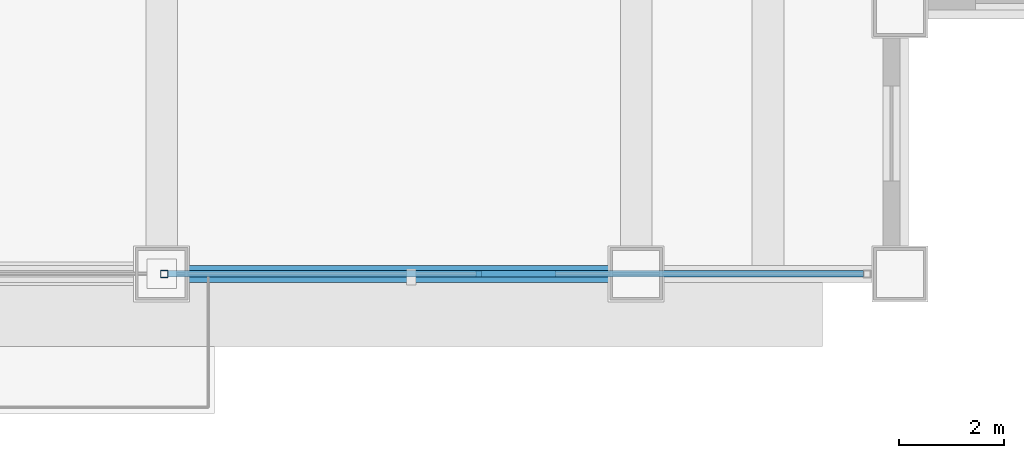
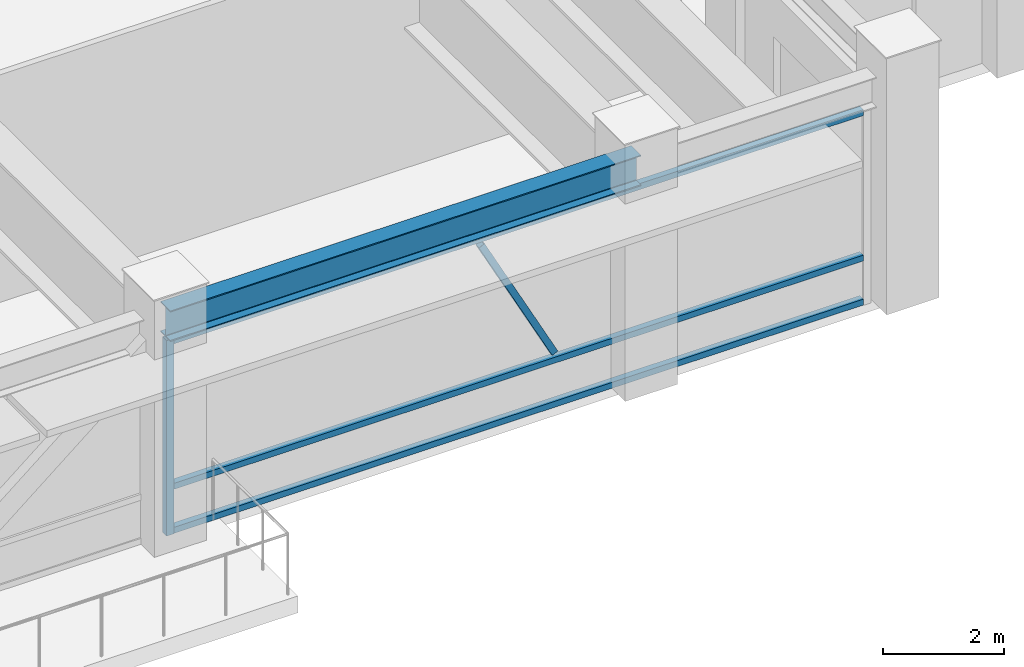
# One storey, part 8 of 33: 5 members, 1 beam, 1 element without a shape of its own.
"""IFC4 building model written with IfcOpenShell, lengths in metres."""

from ifc_helpers import new_model, si_unit, direction, frame, origin, origin_2d, place, context, subcontext, project, spatial, hollow_rectangle, i_section, extrude, source, transform, mapped, material, material_profile, profile_set, type_object, element, aggregate, save


model = new_model("IFC4")

# Units and contexts
model_context = context("Model", 3, precision=1e-05, world=origin(), true_north=direction((0.0, 1.0)))
body_context = subcontext(model_context, "Body", "Model", "MODEL_VIEW")
ifc_project = project(units=[si_unit("LENGTHUNIT", "METRE"), si_unit("AREAUNIT", "SQUARE_METRE"), si_unit("VOLUMEUNIT", "CUBIC_METRE"), si_unit("PLANEANGLEUNIT", "RADIAN"), si_unit("MASSUNIT", "GRAM", prefix="KILO")], contexts=[model_context])

# Site, building, storey
site_placement = place(None, origin())
site = spatial("IfcSite", under=ifc_project, at=site_placement, CompositionType="ELEMENT")
building_placement = place(site_placement, origin())
building = spatial("IfcBuilding", under=site, at=building_placement, Name="Khorayat Bourse Tower", CompositionType="ELEMENT")
storey_placement = place(building_placement, frame((0.0, 0.0, 263.10009765625)))
storey = spatial("IfcBuildingStorey", under=building, at=storey_placement, Name="L62", CompositionType="ELEMENT", Elevation=263.10009765625)

# Beam
ifc_material_1 = material(Name="Steel ASTM A992 Grade 50", Category="steel")
ifc_material_profile_1 = material_profile(ifc_material_1, i_section(OverallWidth=0.324951171875, OverallDepth=0.615966796875, WebThickness=0.013916015625, FlangeThickness=0.021484375, FilletRadius=0.01611328125, at=origin_2d()), Name="W610X174")
ifc_profile_set_1 = profile_set([ifc_material_profile_1], Name="Steel ASTM A992 Grade 50")
beam_type = type_object("IfcBeamType", Name="BM-SPAN-610", PredefinedType="SPANDREL", material=ifc_profile_set_1)
shared_shape_1 = source(origin(), body_context, "Body", "SweptSolid", [
    extrude(i_section(OverallWidth=0.324951171875, OverallDepth=0.615966796875, WebThickness=0.013916015625, FlangeThickness=0.021484375, FilletRadius=0.01611328125, at=origin_2d()), origin(), (0.0, 0.0, 1.0), 9.0),
])
beam_placement = place(storey_placement, frame((11.0, -30.0, 4.2919921875), z_axis=(1.0, 0.0, 0.0), x_axis=(0.0, 1.0, 0.0)))
element("IfcBeam", 1, at=beam_placement, inside=storey, type_object=beam_type, Name="L62 BM-SPAN-610 BM-L62-SPN-030", PredefinedType="SPANDREL", context=body_context, shape_type="MappedRepresentation", body=[
    mapped(shared_shape_1, transform((0.0, 0.0, 0.0), scale=1.0)),
])

# Curtain wall, members
ifc_material_2 = material(Name="Aluminium EN AW-6063 T6", Category="aluminium")
curtain_wall_type = type_object("IfcCurtainWallType", Name="CW-SYS-05", PredefinedType="NOTDEFINED", material=ifc_material_2)
curtain_wall_placement = place(storey_placement, origin())
curtain_wall = element("IfcCurtainWall", 2, at=curtain_wall_placement, inside=storey, type_object=curtain_wall_type, Name="L62 Curtain Wall CW-L62-S2", PredefinedType="NOTDEFINED")
ifc_material_profile_2 = material_profile(ifc_material_2, hollow_rectangle(XDim=0.139892578125, YDim=0.139892578125, WallThickness=0.006103515625, at=origin_2d()), Name="ALU 140x140x6")
ifc_profile_set_2 = profile_set([ifc_material_profile_2], Name="Aluminium EN AW-6063 T6")
member_type_1 = type_object("IfcMemberType", Name="CWM-VERT-140", PredefinedType="MULLION", material=ifc_profile_set_2)
shared_shape_2 = source(origin(), body_context, "Body", "SweptSolid", [
    extrude(hollow_rectangle(XDim=0.139892578125, YDim=0.139892578125, WallThickness=0.006103515625, at=origin_2d()), origin(), (0.0, 0.0, 1.0), 3.949951171875),
])
member_1_placement = place(storey_placement, frame((11.050048828125, -30.0, 0.0), z_axis=(0.0, 0.0, 1.0), x_axis=(0.0, 1.0, 0.0)))
member_1 = element("IfcMember", 3, at=member_1_placement, type_object=member_type_1, Name="CW-L62-S2 Vertical Mullion 2", PredefinedType="MULLION", context=body_context, shape_type="MappedRepresentation", body=[
    mapped(shared_shape_2, transform((0.0, 0.0, 0.0), scale=1.0)),
])
ifc_material_profile_3 = material_profile(ifc_material_2, hollow_rectangle(XDim=0.1201171875, YDim=0.1201171875, WallThickness=0.0048828125, at=origin_2d()), Name="ALU 120x120x5")
ifc_profile_set_3 = profile_set([ifc_material_profile_3], Name="Aluminium EN AW-6063 T6")
member_type_2 = type_object("IfcMemberType", Name="CWM-DIAG-120", PredefinedType="MULLION", material=ifc_profile_set_3)
shared_shape_3 = source(origin(), body_context, "Body", "SweptSolid", [
    extrude(hollow_rectangle(XDim=0.1201171875, YDim=0.1201171875, WallThickness=0.0048828125, at=origin_2d()), origin(), (0.0, 0.0, 1.0), 3.006103515625),
])
member_2_placement = place(storey_placement, frame((18.4150390625, -30.0, 1.08984375), z_axis=(-0.465763168855, 0.0, 0.884909413747), x_axis=(0.0, -1.0, 0.0)))
member_2 = element("IfcMember", 4, at=member_2_placement, type_object=member_type_2, Name="CW-L62-S2 Faceted Diagonal Mullion 2", PredefinedType="MULLION", context=body_context, shape_type="MappedRepresentation", body=[
    mapped(shared_shape_3, transform((0.0, 0.0, 0.0), scale=1.0)),
])
ifc_material_profile_4 = material_profile(ifc_material_2, hollow_rectangle(XDim=0.1201171875, YDim=0.1201171875, WallThickness=0.0048828125, at=origin_2d()), Name="ALU 120x120x5")
ifc_profile_set_4 = profile_set([ifc_material_profile_4], Name="Aluminium EN AW-6063 T6")
member_type_3 = type_object("IfcMemberType", Name="CWT-HORZ-120", PredefinedType="USERDEFINED", material=ifc_profile_set_4)
shared_shape_4 = source(origin(), body_context, "Body", "SweptSolid", [
    extrude(hollow_rectangle(XDim=0.1201171875, YDim=0.1201171875, WallThickness=0.0048828125, at=origin_2d()), origin(), (0.0, 0.0, 1.0), 13.18994140625),
])
member_3_placement = place(storey_placement, frame((11.1201171875, -30.0, 0.059814453125), z_axis=(1.0, 0.0, 0.0), x_axis=(0.0, 1.0, 0.0)))
member_3 = element("IfcMember", 5, at=member_3_placement, type_object=member_type_3, Name="CW-L62-S2 Horizontal Transom 2-1", ObjectType="TRANSOM", PredefinedType="USERDEFINED", context=body_context, shape_type="MappedRepresentation", body=[
    mapped(shared_shape_4, transform((0.0, 0.0, 0.0), scale=1.0)),
])
member_4_placement = place(storey_placement, frame((11.1201171875, -30.0, 0.949951171875), z_axis=(1.0, 0.0, 0.0), x_axis=(0.0, 1.0, 0.0)))
member_4 = element("IfcMember", 6, at=member_4_placement, type_object=member_type_3, Name="CW-L62-S2 Horizontal Transom 2-2", ObjectType="TRANSOM", PredefinedType="USERDEFINED", context=body_context, shape_type="MappedRepresentation", body=[
    mapped(shared_shape_4, transform((0.0, 0.0, 0.0), scale=1.0)),
])
member_5_placement = place(storey_placement, frame((11.1201171875, -30.0, 3.889892578125), z_axis=(1.0, 0.0, 0.0), x_axis=(0.0, 1.0, 0.0)))
member_5 = element("IfcMember", 7, at=member_5_placement, type_object=member_type_3, Name="CW-L62-S2 Horizontal Transom 2-3", ObjectType="TRANSOM", PredefinedType="USERDEFINED", context=body_context, shape_type="MappedRepresentation", body=[
    mapped(shared_shape_4, transform((0.0, 0.0, 0.0), scale=1.0)),
])
aggregate(curtain_wall, [member_1, member_3, member_4, member_5, member_2])

save(model, "model.ifc")
